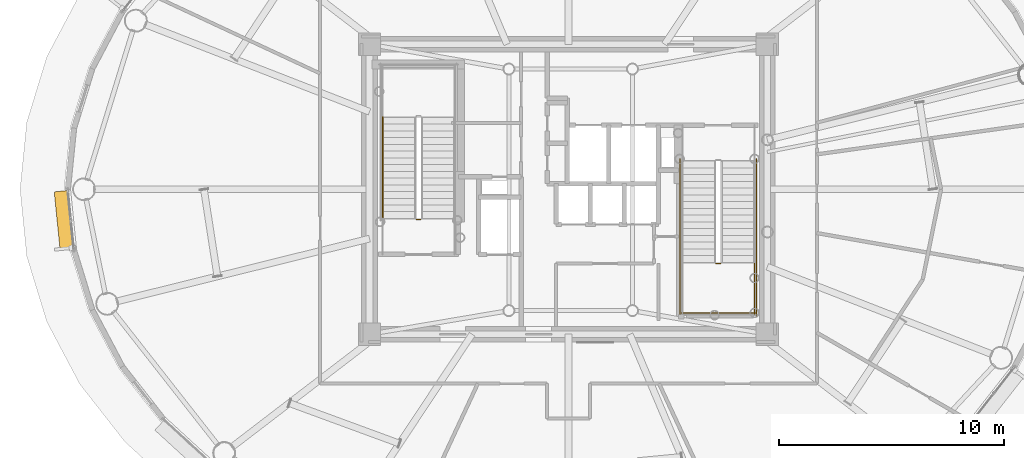
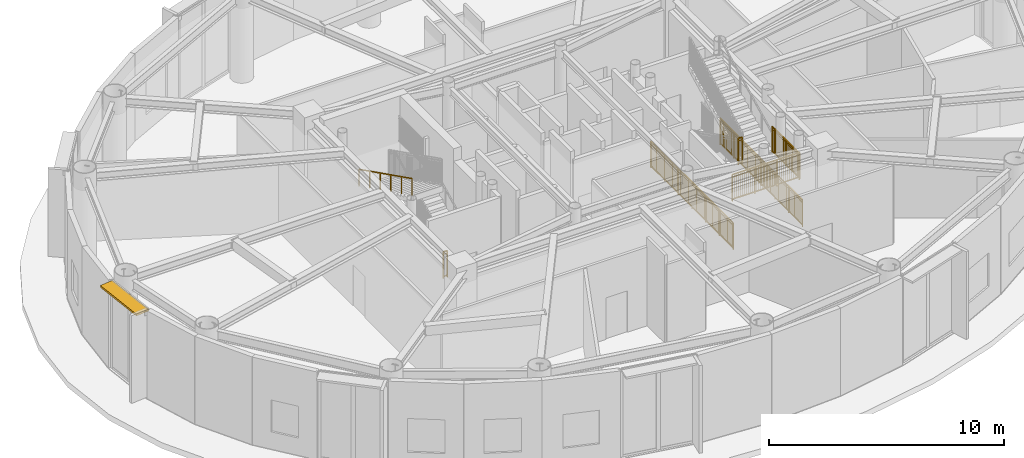
# One storey, part 27 of 32: 7 railings, 1 shading device.
"""IFC4 building model written with IfcOpenShell, lengths in metres."""

from ifc_helpers import new_model, si_unit, direction, frame, origin, origin_2d, place, context, subcontext, project, spatial, rectangle, extrude, source, transform, mapped, material, layer, layer_set, type_object, element, save


model = new_model("IFC4")

# Units and contexts
model_context = context("Model", 3, precision=1e-05, world=origin(), true_north=direction((0.0, 1.0)))
body_context = subcontext(model_context, "Body", "Model", "MODEL_VIEW")
ifc_project = project(units=[si_unit("LENGTHUNIT", "METRE"), si_unit("AREAUNIT", "SQUARE_METRE"), si_unit("VOLUMEUNIT", "CUBIC_METRE"), si_unit("PLANEANGLEUNIT", "RADIAN"), si_unit("MASSUNIT", "GRAM", prefix="KILO")], contexts=[model_context])

# Site, building, storey
site_placement = place(None, origin())
site = spatial("IfcSite", under=ifc_project, at=site_placement, CompositionType="ELEMENT")
building_placement = place(site_placement, origin())
building = spatial("IfcBuilding", under=site, at=building_placement, Name="Linh Dai School and Residence Tower", CompositionType="ELEMENT")
storey_placement = place(building_placement, frame((0.0, 0.0, 268.199951171875)))
storey = spatial("IfcBuildingStorey", under=building, at=storey_placement, Name="L66", CompositionType="ELEMENT", Elevation=268.199951171875)

# Shading device
ifc_material_1 = material(Name="Terracotta Ceramic Sunshade", Category="masonry")
ifc_layer = layer(ifc_material_1, 0.10009765625)
ifc_layer_set = layer_set([ifc_layer], Name="Terracotta Ceramic Sunshade")
shading_device_type = type_object("IfcShadingDeviceType", Name="SHD-TC-650", PredefinedType="USERDEFINED", material=ifc_layer_set)
shared_shape_1 = source(origin(), body_context, "Body", "SweptSolid", [
    extrude(rectangle(XDim=2.62353515625, YDim=0.64990234375, at=origin_2d()), origin(), (0.0, 0.0, 1.0), 0.10009765625),
])
shading_device_placement = place(storey_placement, frame((13.578125, 25.612060546875, 4.429931640625), z_axis=(0.0, 0.0, 1.0), x_axis=(-0.100008034283, 0.994986629598, 0.0)))
element("IfcShadingDevice", 1, at=shading_device_placement, inside=storey, type_object=shading_device_type, Name="L66 Terracotta Horizontal Sunshade Band 21", ObjectType="SUNSHADE", PredefinedType="USERDEFINED", context=body_context, shape_type="MappedRepresentation", body=[
    mapped(shared_shape_1, transform((0.0, 0.0, 0.0), x_axis=(1.0, 0.0, 0.0), y_axis=(0.0, 1.0, 0.0), z_axis=(0.0, 0.0, 1.0), scale=1.0)),
])

# Railings
ifc_material_2 = material(Name="Structural Steel S355JR", Category="steel")
railing_type_1 = type_object("IfcRailingType", Name="RL-ST-GUARD-1400", PredefinedType="GUARDRAIL", material=ifc_material_2)
shared_shape_2 = source(origin(), body_context, "Body", "SweptSolid", [
    extrude(rectangle(XDim=0.048095703125, YDim=0.048095703125, at=origin_2d()), frame((0.0, 0.0, 1.3759765625), z_axis=(-1.0, 0.0, 0.0), x_axis=(0.0, -1.0, 0.0)), (0.0, 0.0, 1.0), 0.199951171875),
    extrude(rectangle(XDim=0.048095703125, YDim=0.048095703125, at=origin_2d()), frame((0.0, 0.0, 0.10009765625), z_axis=(-1.0, 0.0, 0.0), x_axis=(0.0, -1.0, 0.0)), (0.0, 0.0, 1.0), 0.199951171875),
    extrude(rectangle(XDim=0.030029296875, YDim=0.030029296875, at=origin_2d()), frame((0.0, 0.0, 1.239990234375), z_axis=(-1.0, 0.0, 0.0), x_axis=(0.0, -1.0, 0.0)), (0.0, 0.0, 1.0), 0.199951171875),
    extrude(rectangle(XDim=0.0419921875, YDim=0.0419921875, at=origin_2d()), origin(), (0.0, 0.0, 1.0), 1.3759765625),
    extrude(rectangle(XDim=0.0419921875, YDim=0.0419921875, at=origin_2d()), frame((-0.199951171875, 0.0, 0.0)), (0.0, 0.0, 1.0), 1.3759765625),
])
railing_1_placement = place(storey_placement, frame((29.429931640625, 25.64990234375, 0.0)))
element("IfcRailing", 2, at=railing_1_placement, inside=storey, type_object=railing_type_1, Name="L66 ST1 stair guard 7", PredefinedType="GUARDRAIL", context=body_context, shape_type="MappedRepresentation", body=[
    mapped(shared_shape_2, transform((0.0, 0.0, 0.0), x_axis=(1.0, 0.0, 0.0), y_axis=(0.0, 1.0, 0.0), z_axis=(0.0, 0.0, 1.0), scale=1.0)),
])
ifc_material_3 = material(Name="Brushed Stainless Steel Handrail", Category="steel")
railing_type_2 = type_object("IfcRailingType", Name="RL-ST-HANDRAIL-900", PredefinedType="HANDRAIL", material=ifc_material_3)
shared_shape_3 = source(origin(), body_context, "Body", "SweptSolid", [
    extrude(rectangle(XDim=0.048095703125, YDim=0.048095703125, at=origin_2d()), frame((0.0, 0.0, 0.8759765625), z_axis=(0.0, -0.894427191, 0.4472135955), x_axis=(1.0, 0.0, 0.0)), (0.0, 0.0, 1.0), 5.03125),
    extrude(rectangle(XDim=0.0419921875, YDim=0.0419921875, at=origin_2d()), origin(), (0.0, 0.0, 1.0), 0.8759765625),
    extrude(rectangle(XDim=0.0419921875, YDim=0.0419921875, at=origin_2d()), frame((0.0, -0.89990234375, 0.449951171875)), (0.0, 0.0, 1.0), 0.8759765625),
    extrude(rectangle(XDim=0.0419921875, YDim=0.0419921875, at=origin_2d()), frame((0.0, -1.800048828125, 0.89990234375)), (0.0, 0.0, 1.0), 0.8759765625),
    extrude(rectangle(XDim=0.0419921875, YDim=0.0419921875, at=origin_2d()), frame((0.0, -2.699951171875, 1.35009765625)), (0.0, 0.0, 1.0), 0.8759765625),
    extrude(rectangle(XDim=0.0419921875, YDim=0.0419921875, at=origin_2d()), frame((0.0, -3.60009765625, 1.800048828125)), (0.0, 0.0, 1.0), 0.8759765625),
    extrude(rectangle(XDim=0.0419921875, YDim=0.0419921875, at=origin_2d()), frame((0.0, -4.5, 2.25)), (0.0, 0.0, 1.0), 0.8759765625),
])
railing_2_placement = place(storey_placement, frame((27.72998046875, 30.199951171875, 2.550048828125)))
element("IfcRailing", 3, at=railing_2_placement, inside=storey, type_object=railing_type_2, Name="L66 ST1 stair handrail 2", PredefinedType="HANDRAIL", context=body_context, shape_type="MappedRepresentation", body=[
    mapped(shared_shape_3, transform((0.0, 0.0, 0.0), x_axis=(1.0, 0.0, 0.0), y_axis=(0.0, 1.0, 0.0), z_axis=(0.0, 0.0, 1.0), scale=1.0)),
])
shared_shape_4 = source(origin(), body_context, "Body", "SweptSolid", [
    extrude(rectangle(XDim=0.048095703125, YDim=0.048095703125, at=origin_2d()), frame((0.0, 0.0, 1.3759765625), z_axis=(1.0, 0.0, 0.0), x_axis=(0.0, 1.0, 0.0)), (0.0, 0.0, 1.0), 0.199951171875),
    extrude(rectangle(XDim=0.048095703125, YDim=0.048095703125, at=origin_2d()), frame((0.0, 0.0, 0.10009765625), z_axis=(1.0, 0.0, 0.0), x_axis=(0.0, 1.0, 0.0)), (0.0, 0.0, 1.0), 0.199951171875),
    extrude(rectangle(XDim=0.030029296875, YDim=0.030029296875, at=origin_2d()), frame((0.0, 0.0, 1.239990234375), z_axis=(1.0, 0.0, 0.0), x_axis=(0.0, 1.0, 0.0)), (0.0, 0.0, 1.0), 0.199951171875),
    extrude(rectangle(XDim=0.0419921875, YDim=0.0419921875, at=origin_2d()), origin(), (0.0, 0.0, 1.0), 1.3759765625),
    extrude(rectangle(XDim=0.0419921875, YDim=0.0419921875, at=origin_2d()), frame((0.199951171875, 0.0, 0.0)), (0.0, 0.0, 1.0), 1.3759765625),
])
railing_3_placement = place(storey_placement, frame((42.570068359375, 23.699951171875, 2.400146484375)))
element("IfcRailing", 4, at=railing_3_placement, inside=storey, type_object=railing_type_1, Name="L66 ST2 stair guard 2", PredefinedType="GUARDRAIL", context=body_context, shape_type="MappedRepresentation", body=[
    mapped(shared_shape_4, transform((0.0, 0.0, 0.0), x_axis=(1.0, 0.0, 0.0), y_axis=(0.0, 1.0, 0.0), z_axis=(0.0, 0.0, 1.0), scale=1.0)),
])
shared_shape_5 = source(origin(), body_context, "Body", "SweptSolid", [
    extrude(rectangle(XDim=0.048095703125, YDim=0.048095703125, at=origin_2d()), frame((0.0, 0.0, 1.3759765625), z_axis=(1.0, 0.0, 0.0), x_axis=(0.0, 1.0, 0.0)), (0.0, 0.0, 1.0), 3.300048828125),
    extrude(rectangle(XDim=0.048095703125, YDim=0.048095703125, at=origin_2d()), frame((0.0, 0.0, 0.10009765625), z_axis=(1.0, 0.0, 0.0), x_axis=(0.0, 1.0, 0.0)), (0.0, 0.0, 1.0), 3.300048828125),
    extrude(rectangle(XDim=0.030029296875, YDim=0.030029296875, at=origin_2d()), frame((0.0, 0.0, 1.239990234375), z_axis=(1.0, 0.0, 0.0), x_axis=(0.0, 1.0, 0.0)), (0.0, 0.0, 1.0), 3.300048828125),
    extrude(rectangle(XDim=0.02001953125, YDim=0.02001953125, at=origin_2d()), frame((0.09716796875, 0.0, 0.10009765625)), (0.0, 0.0, 1.0), 1.251708984375),
    extrude(rectangle(XDim=0.02001953125, YDim=0.02001953125, at=origin_2d()), frame((0.194091796875, 0.0, 0.10009765625)), (0.0, 0.0, 1.0), 1.251708984375),
    extrude(rectangle(XDim=0.02001953125, YDim=0.02001953125, at=origin_2d()), frame((0.291259765625, 0.0, 0.10009765625)), (0.0, 0.0, 1.0), 1.251708984375),
    extrude(rectangle(XDim=0.02001953125, YDim=0.02001953125, at=origin_2d()), frame((0.38818359375, 0.0, 0.10009765625)), (0.0, 0.0, 1.0), 1.251708984375),
    extrude(rectangle(XDim=0.02001953125, YDim=0.02001953125, at=origin_2d()), frame((0.4853515625, 0.0, 0.10009765625)), (0.0, 0.0, 1.0), 1.251708984375),
    extrude(rectangle(XDim=0.02001953125, YDim=0.02001953125, at=origin_2d()), frame((0.582275390625, 0.0, 0.10009765625)), (0.0, 0.0, 1.0), 1.251708984375),
    extrude(rectangle(XDim=0.02001953125, YDim=0.02001953125, at=origin_2d()), frame((0.679443359375, 0.0, 0.10009765625)), (0.0, 0.0, 1.0), 1.251708984375),
    extrude(rectangle(XDim=0.02001953125, YDim=0.02001953125, at=origin_2d()), frame((0.7763671875, 0.0, 0.10009765625)), (0.0, 0.0, 1.0), 1.251708984375),
    extrude(rectangle(XDim=0.02001953125, YDim=0.02001953125, at=origin_2d()), frame((0.87353515625, 0.0, 0.10009765625)), (0.0, 0.0, 1.0), 1.251708984375),
    extrude(rectangle(XDim=0.02001953125, YDim=0.02001953125, at=origin_2d()), frame((0.970703125, 0.0, 0.10009765625)), (0.0, 0.0, 1.0), 1.251708984375),
    extrude(rectangle(XDim=0.02001953125, YDim=0.02001953125, at=origin_2d()), frame((1.164794921875, 0.0, 0.10009765625)), (0.0, 0.0, 1.0), 1.251708984375),
    extrude(rectangle(XDim=0.02001953125, YDim=0.02001953125, at=origin_2d()), frame((1.26171875, 0.0, 0.10009765625)), (0.0, 0.0, 1.0), 1.251708984375),
    extrude(rectangle(XDim=0.02001953125, YDim=0.02001953125, at=origin_2d()), frame((1.35888671875, 0.0, 0.10009765625)), (0.0, 0.0, 1.0), 1.251708984375),
    extrude(rectangle(XDim=0.02001953125, YDim=0.02001953125, at=origin_2d()), frame((1.455810546875, 0.0, 0.10009765625)), (0.0, 0.0, 1.0), 1.251708984375),
    extrude(rectangle(XDim=0.02001953125, YDim=0.02001953125, at=origin_2d()), frame((1.552978515625, 0.0, 0.10009765625)), (0.0, 0.0, 1.0), 1.251708984375),
    extrude(rectangle(XDim=0.02001953125, YDim=0.02001953125, at=origin_2d()), frame((1.64990234375, 0.0, 0.10009765625)), (0.0, 0.0, 1.0), 1.251708984375),
    extrude(rectangle(XDim=0.02001953125, YDim=0.02001953125, at=origin_2d()), frame((1.7470703125, 0.0, 0.10009765625)), (0.0, 0.0, 1.0), 1.251708984375),
    extrude(rectangle(XDim=0.02001953125, YDim=0.02001953125, at=origin_2d()), frame((1.84423828125, 0.0, 0.10009765625)), (0.0, 0.0, 1.0), 1.251708984375),
    extrude(rectangle(XDim=0.02001953125, YDim=0.02001953125, at=origin_2d()), frame((1.941162109375, 0.0, 0.10009765625)), (0.0, 0.0, 1.0), 1.251708984375),
    extrude(rectangle(XDim=0.02001953125, YDim=0.02001953125, at=origin_2d()), frame((2.038330078125, 0.0, 0.10009765625)), (0.0, 0.0, 1.0), 1.251708984375),
    extrude(rectangle(XDim=0.02001953125, YDim=0.02001953125, at=origin_2d()), frame((2.13525390625, 0.0, 0.10009765625)), (0.0, 0.0, 1.0), 1.251708984375),
    extrude(rectangle(XDim=0.02001953125, YDim=0.02001953125, at=origin_2d()), frame((2.329345703125, 0.0, 0.10009765625)), (0.0, 0.0, 1.0), 1.251708984375),
    extrude(rectangle(XDim=0.02001953125, YDim=0.02001953125, at=origin_2d()), frame((2.426513671875, 0.0, 0.10009765625)), (0.0, 0.0, 1.0), 1.251708984375),
    extrude(rectangle(XDim=0.02001953125, YDim=0.02001953125, at=origin_2d()), frame((2.523681640625, 0.0, 0.10009765625)), (0.0, 0.0, 1.0), 1.251708984375),
    extrude(rectangle(XDim=0.02001953125, YDim=0.02001953125, at=origin_2d()), frame((2.62060546875, 0.0, 0.10009765625)), (0.0, 0.0, 1.0), 1.251708984375),
    extrude(rectangle(XDim=0.02001953125, YDim=0.02001953125, at=origin_2d()), frame((2.7177734375, 0.0, 0.10009765625)), (0.0, 0.0, 1.0), 1.251708984375),
    extrude(rectangle(XDim=0.02001953125, YDim=0.02001953125, at=origin_2d()), frame((2.814697265625, 0.0, 0.10009765625)), (0.0, 0.0, 1.0), 1.251708984375),
    extrude(rectangle(XDim=0.02001953125, YDim=0.02001953125, at=origin_2d()), frame((2.911865234375, 0.0, 0.10009765625)), (0.0, 0.0, 1.0), 1.251708984375),
    extrude(rectangle(XDim=0.02001953125, YDim=0.02001953125, at=origin_2d()), frame((3.0087890625, 0.0, 0.10009765625)), (0.0, 0.0, 1.0), 1.251708984375),
    extrude(rectangle(XDim=0.02001953125, YDim=0.02001953125, at=origin_2d()), frame((3.10595703125, 0.0, 0.10009765625)), (0.0, 0.0, 1.0), 1.251708984375),
    extrude(rectangle(XDim=0.02001953125, YDim=0.02001953125, at=origin_2d()), frame((3.202880859375, 0.0, 0.10009765625)), (0.0, 0.0, 1.0), 1.251708984375),
    extrude(rectangle(XDim=0.0419921875, YDim=0.0419921875, at=origin_2d()), origin(), (0.0, 0.0, 1.0), 1.3759765625),
    extrude(rectangle(XDim=0.0419921875, YDim=0.0419921875, at=origin_2d()), frame((1.10009765625, 0.0, 0.0)), (0.0, 0.0, 1.0), 1.3759765625),
    extrude(rectangle(XDim=0.0419921875, YDim=0.0419921875, at=origin_2d()), frame((2.199951171875, 0.0, 0.0)), (0.0, 0.0, 1.0), 1.3759765625),
    extrude(rectangle(XDim=0.0419921875, YDim=0.0419921875, at=origin_2d()), frame((3.300048828125, 0.0, 0.0)), (0.0, 0.0, 1.0), 1.3759765625),
])
railing_4_placement = place(storey_placement, frame((41.02001953125, 21.5, 2.400146484375)))
element("IfcRailing", 5, at=railing_4_placement, inside=storey, type_object=railing_type_1, Name="L66 ST2 stair guard 5", PredefinedType="GUARDRAIL", context=body_context, shape_type="MappedRepresentation", body=[
    mapped(shared_shape_5, transform((0.0, 0.0, 0.0), x_axis=(1.0, 0.0, 0.0), y_axis=(0.0, 1.0, 0.0), z_axis=(0.0, 0.0, 1.0), scale=1.0)),
])
shared_shape_6 = source(origin(), body_context, "Body", "SweptSolid", [
    extrude(rectangle(XDim=0.048095703125, YDim=0.048095703125, at=origin_2d()), frame((0.0, 0.0, 1.3759765625), z_axis=(0.0, -1.0, 0.0), x_axis=(1.0, 0.0, 0.0)), (0.0, 0.0, 1.0), 7.0),
    extrude(rectangle(XDim=0.048095703125, YDim=0.048095703125, at=origin_2d()), frame((0.0, 0.0, 0.10009765625), z_axis=(0.0, -1.0, 0.0), x_axis=(1.0, 0.0, 0.0)), (0.0, 0.0, 1.0), 7.0),
    extrude(rectangle(XDim=0.030029296875, YDim=0.030029296875, at=origin_2d()), frame((0.0, 0.0, 1.239990234375), z_axis=(0.0, -1.0, 0.0), x_axis=(1.0, 0.0, 0.0)), (0.0, 0.0, 1.0), 7.0),
    extrude(rectangle(XDim=0.02001953125, YDim=0.02001953125, at=origin_2d()), frame((0.0, -0.09716796875, 0.10009765625)), (0.0, 0.0, 1.0), 1.251708984375),
    extrude(rectangle(XDim=0.02001953125, YDim=0.02001953125, at=origin_2d()), frame((0.0, -0.1943359375, 0.10009765625)), (0.0, 0.0, 1.0), 1.251708984375),
    extrude(rectangle(XDim=0.02001953125, YDim=0.02001953125, at=origin_2d()), frame((0.0, -0.291748046875, 0.10009765625)), (0.0, 0.0, 1.0), 1.251708984375),
    extrude(rectangle(XDim=0.02001953125, YDim=0.02001953125, at=origin_2d()), frame((0.0, -0.388916015625, 0.10009765625)), (0.0, 0.0, 1.0), 1.251708984375),
    extrude(rectangle(XDim=0.02001953125, YDim=0.02001953125, at=origin_2d()), frame((0.0, -0.486083984375, 0.10009765625)), (0.0, 0.0, 1.0), 1.251708984375),
    extrude(rectangle(XDim=0.02001953125, YDim=0.02001953125, at=origin_2d()), frame((0.0, -0.583251953125, 0.10009765625)), (0.0, 0.0, 1.0), 1.251708984375),
    extrude(rectangle(XDim=0.02001953125, YDim=0.02001953125, at=origin_2d()), frame((0.0, -0.6806640625, 0.10009765625)), (0.0, 0.0, 1.0), 1.251708984375),
    extrude(rectangle(XDim=0.02001953125, YDim=0.02001953125, at=origin_2d()), frame((0.0, -0.77783203125, 0.10009765625)), (0.0, 0.0, 1.0), 1.251708984375),
    extrude(rectangle(XDim=0.02001953125, YDim=0.02001953125, at=origin_2d()), frame((0.0, -0.875, 0.10009765625)), (0.0, 0.0, 1.0), 1.251708984375),
    extrude(rectangle(XDim=0.02001953125, YDim=0.02001953125, at=origin_2d()), frame((0.0, -0.97216796875, 0.10009765625)), (0.0, 0.0, 1.0), 1.251708984375),
    extrude(rectangle(XDim=0.02001953125, YDim=0.02001953125, at=origin_2d()), frame((0.0, -1.0693359375, 0.10009765625)), (0.0, 0.0, 1.0), 1.251708984375),
    extrude(rectangle(XDim=0.02001953125, YDim=0.02001953125, at=origin_2d()), frame((0.0, -1.263916015625, 0.10009765625)), (0.0, 0.0, 1.0), 1.251708984375),
    extrude(rectangle(XDim=0.02001953125, YDim=0.02001953125, at=origin_2d()), frame((0.0, -1.361083984375, 0.10009765625)), (0.0, 0.0, 1.0), 1.251708984375),
    extrude(rectangle(XDim=0.02001953125, YDim=0.02001953125, at=origin_2d()), frame((0.0, -1.458251953125, 0.10009765625)), (0.0, 0.0, 1.0), 1.251708984375),
    extrude(rectangle(XDim=0.02001953125, YDim=0.02001953125, at=origin_2d()), frame((0.0, -1.5556640625, 0.10009765625)), (0.0, 0.0, 1.0), 1.251708984375),
    extrude(rectangle(XDim=0.02001953125, YDim=0.02001953125, at=origin_2d()), frame((0.0, -1.65283203125, 0.10009765625)), (0.0, 0.0, 1.0), 1.251708984375),
    extrude(rectangle(XDim=0.02001953125, YDim=0.02001953125, at=origin_2d()), frame((0.0, -1.75, 0.10009765625)), (0.0, 0.0, 1.0), 1.251708984375),
    extrude(rectangle(XDim=0.02001953125, YDim=0.02001953125, at=origin_2d()), frame((0.0, -1.84716796875, 0.10009765625)), (0.0, 0.0, 1.0), 1.251708984375),
    extrude(rectangle(XDim=0.02001953125, YDim=0.02001953125, at=origin_2d()), frame((0.0, -1.9443359375, 0.10009765625)), (0.0, 0.0, 1.0), 1.251708984375),
    extrude(rectangle(XDim=0.02001953125, YDim=0.02001953125, at=origin_2d()), frame((0.0, -2.041748046875, 0.10009765625)), (0.0, 0.0, 1.0), 1.251708984375),
    extrude(rectangle(XDim=0.02001953125, YDim=0.02001953125, at=origin_2d()), frame((0.0, -2.138916015625, 0.10009765625)), (0.0, 0.0, 1.0), 1.251708984375),
    extrude(rectangle(XDim=0.02001953125, YDim=0.02001953125, at=origin_2d()), frame((0.0, -2.236083984375, 0.10009765625)), (0.0, 0.0, 1.0), 1.251708984375),
    extrude(rectangle(XDim=0.02001953125, YDim=0.02001953125, at=origin_2d()), frame((0.0, -2.4306640625, 0.10009765625)), (0.0, 0.0, 1.0), 1.251708984375),
    extrude(rectangle(XDim=0.02001953125, YDim=0.02001953125, at=origin_2d()), frame((0.0, -2.52783203125, 0.10009765625)), (0.0, 0.0, 1.0), 1.251708984375),
    extrude(rectangle(XDim=0.02001953125, YDim=0.02001953125, at=origin_2d()), frame((0.0, -2.625, 0.10009765625)), (0.0, 0.0, 1.0), 1.251708984375),
    extrude(rectangle(XDim=0.02001953125, YDim=0.02001953125, at=origin_2d()), frame((0.0, -2.72216796875, 0.10009765625)), (0.0, 0.0, 1.0), 1.251708984375),
    extrude(rectangle(XDim=0.02001953125, YDim=0.02001953125, at=origin_2d()), frame((0.0, -2.8193359375, 0.10009765625)), (0.0, 0.0, 1.0), 1.251708984375),
    extrude(rectangle(XDim=0.02001953125, YDim=0.02001953125, at=origin_2d()), frame((0.0, -2.916748046875, 0.10009765625)), (0.0, 0.0, 1.0), 1.251708984375),
    extrude(rectangle(XDim=0.02001953125, YDim=0.02001953125, at=origin_2d()), frame((0.0, -3.013916015625, 0.10009765625)), (0.0, 0.0, 1.0), 1.251708984375),
    extrude(rectangle(XDim=0.02001953125, YDim=0.02001953125, at=origin_2d()), frame((0.0, -3.111083984375, 0.10009765625)), (0.0, 0.0, 1.0), 1.251708984375),
    extrude(rectangle(XDim=0.02001953125, YDim=0.02001953125, at=origin_2d()), frame((0.0, -3.208251953125, 0.10009765625)), (0.0, 0.0, 1.0), 1.251708984375),
    extrude(rectangle(XDim=0.02001953125, YDim=0.02001953125, at=origin_2d()), frame((0.0, -3.3056640625, 0.10009765625)), (0.0, 0.0, 1.0), 1.251708984375),
    extrude(rectangle(XDim=0.02001953125, YDim=0.02001953125, at=origin_2d()), frame((0.0, -3.40283203125, 0.10009765625)), (0.0, 0.0, 1.0), 1.251708984375),
    extrude(rectangle(XDim=0.02001953125, YDim=0.02001953125, at=origin_2d()), frame((0.0, -3.59716796875, 0.10009765625)), (0.0, 0.0, 1.0), 1.251708984375),
    extrude(rectangle(XDim=0.02001953125, YDim=0.02001953125, at=origin_2d()), frame((0.0, -3.6943359375, 0.10009765625)), (0.0, 0.0, 1.0), 1.251708984375),
    extrude(rectangle(XDim=0.02001953125, YDim=0.02001953125, at=origin_2d()), frame((0.0, -3.791748046875, 0.10009765625)), (0.0, 0.0, 1.0), 1.251708984375),
    extrude(rectangle(XDim=0.02001953125, YDim=0.02001953125, at=origin_2d()), frame((0.0, -3.888916015625, 0.10009765625)), (0.0, 0.0, 1.0), 1.251708984375),
    extrude(rectangle(XDim=0.02001953125, YDim=0.02001953125, at=origin_2d()), frame((0.0, -3.986083984375, 0.10009765625)), (0.0, 0.0, 1.0), 1.251708984375),
    extrude(rectangle(XDim=0.02001953125, YDim=0.02001953125, at=origin_2d()), frame((0.0, -4.083251953125, 0.10009765625)), (0.0, 0.0, 1.0), 1.251708984375),
    extrude(rectangle(XDim=0.02001953125, YDim=0.02001953125, at=origin_2d()), frame((0.0, -4.1806640625, 0.10009765625)), (0.0, 0.0, 1.0), 1.251708984375),
    extrude(rectangle(XDim=0.02001953125, YDim=0.02001953125, at=origin_2d()), frame((0.0, -4.27783203125, 0.10009765625)), (0.0, 0.0, 1.0), 1.251708984375),
    extrude(rectangle(XDim=0.02001953125, YDim=0.02001953125, at=origin_2d()), frame((0.0, -4.375, 0.10009765625)), (0.0, 0.0, 1.0), 1.251708984375),
    extrude(rectangle(XDim=0.02001953125, YDim=0.02001953125, at=origin_2d()), frame((0.0, -4.47216796875, 0.10009765625)), (0.0, 0.0, 1.0), 1.251708984375),
    extrude(rectangle(XDim=0.02001953125, YDim=0.02001953125, at=origin_2d()), frame((0.0, -4.5693359375, 0.10009765625)), (0.0, 0.0, 1.0), 1.251708984375),
    extrude(rectangle(XDim=0.02001953125, YDim=0.02001953125, at=origin_2d()), frame((0.0, -4.763916015625, 0.10009765625)), (0.0, 0.0, 1.0), 1.251708984375),
    extrude(rectangle(XDim=0.02001953125, YDim=0.02001953125, at=origin_2d()), frame((0.0, -4.861083984375, 0.10009765625)), (0.0, 0.0, 1.0), 1.251708984375),
    extrude(rectangle(XDim=0.02001953125, YDim=0.02001953125, at=origin_2d()), frame((0.0, -4.958251953125, 0.10009765625)), (0.0, 0.0, 1.0), 1.251708984375),
    extrude(rectangle(XDim=0.02001953125, YDim=0.02001953125, at=origin_2d()), frame((0.0, -5.0556640625, 0.10009765625)), (0.0, 0.0, 1.0), 1.251708984375),
    extrude(rectangle(XDim=0.02001953125, YDim=0.02001953125, at=origin_2d()), frame((0.0, -5.15283203125, 0.10009765625)), (0.0, 0.0, 1.0), 1.251708984375),
    extrude(rectangle(XDim=0.02001953125, YDim=0.02001953125, at=origin_2d()), frame((0.0, -5.25, 0.10009765625)), (0.0, 0.0, 1.0), 1.251708984375),
    extrude(rectangle(XDim=0.02001953125, YDim=0.02001953125, at=origin_2d()), frame((0.0, -5.34716796875, 0.10009765625)), (0.0, 0.0, 1.0), 1.251708984375),
    extrude(rectangle(XDim=0.02001953125, YDim=0.02001953125, at=origin_2d()), frame((0.0, -5.4443359375, 0.10009765625)), (0.0, 0.0, 1.0), 1.251708984375),
    extrude(rectangle(XDim=0.02001953125, YDim=0.02001953125, at=origin_2d()), frame((0.0, -5.541748046875, 0.10009765625)), (0.0, 0.0, 1.0), 1.251708984375),
    extrude(rectangle(XDim=0.02001953125, YDim=0.02001953125, at=origin_2d()), frame((0.0, -5.638916015625, 0.10009765625)), (0.0, 0.0, 1.0), 1.251708984375),
    extrude(rectangle(XDim=0.02001953125, YDim=0.02001953125, at=origin_2d()), frame((0.0, -5.736083984375, 0.10009765625)), (0.0, 0.0, 1.0), 1.251708984375),
    extrude(rectangle(XDim=0.02001953125, YDim=0.02001953125, at=origin_2d()), frame((0.0, -5.9306640625, 0.10009765625)), (0.0, 0.0, 1.0), 1.251708984375),
    extrude(rectangle(XDim=0.02001953125, YDim=0.02001953125, at=origin_2d()), frame((0.0, -6.02783203125, 0.10009765625)), (0.0, 0.0, 1.0), 1.251708984375),
    extrude(rectangle(XDim=0.02001953125, YDim=0.02001953125, at=origin_2d()), frame((0.0, -6.125, 0.10009765625)), (0.0, 0.0, 1.0), 1.251708984375),
    extrude(rectangle(XDim=0.02001953125, YDim=0.02001953125, at=origin_2d()), frame((0.0, -6.22216796875, 0.10009765625)), (0.0, 0.0, 1.0), 1.251708984375),
    extrude(rectangle(XDim=0.02001953125, YDim=0.02001953125, at=origin_2d()), frame((0.0, -6.3193359375, 0.10009765625)), (0.0, 0.0, 1.0), 1.251708984375),
    extrude(rectangle(XDim=0.02001953125, YDim=0.02001953125, at=origin_2d()), frame((0.0, -6.416748046875, 0.10009765625)), (0.0, 0.0, 1.0), 1.251708984375),
    extrude(rectangle(XDim=0.02001953125, YDim=0.02001953125, at=origin_2d()), frame((0.0, -6.513916015625, 0.10009765625)), (0.0, 0.0, 1.0), 1.251708984375),
    extrude(rectangle(XDim=0.02001953125, YDim=0.02001953125, at=origin_2d()), frame((0.0, -6.611083984375, 0.10009765625)), (0.0, 0.0, 1.0), 1.251708984375),
    extrude(rectangle(XDim=0.02001953125, YDim=0.02001953125, at=origin_2d()), frame((0.0, -6.708251953125, 0.10009765625)), (0.0, 0.0, 1.0), 1.251708984375),
    extrude(rectangle(XDim=0.02001953125, YDim=0.02001953125, at=origin_2d()), frame((0.0, -6.8056640625, 0.10009765625)), (0.0, 0.0, 1.0), 1.251708984375),
    extrude(rectangle(XDim=0.02001953125, YDim=0.02001953125, at=origin_2d()), frame((0.0, -6.90283203125, 0.10009765625)), (0.0, 0.0, 1.0), 1.251708984375),
    extrude(rectangle(XDim=0.0419921875, YDim=0.0419921875, at=origin_2d()), origin(), (0.0, 0.0, 1.0), 1.3759765625),
    extrude(rectangle(XDim=0.0419921875, YDim=0.0419921875, at=origin_2d()), frame((0.0, -1.166748046875, 0.0)), (0.0, 0.0, 1.0), 1.3759765625),
    extrude(rectangle(XDim=0.0419921875, YDim=0.0419921875, at=origin_2d()), frame((0.0, -2.333251953125, 0.0)), (0.0, 0.0, 1.0), 1.3759765625),
    extrude(rectangle(XDim=0.0419921875, YDim=0.0419921875, at=origin_2d()), frame((0.0, -3.5, 0.0)), (0.0, 0.0, 1.0), 1.3759765625),
    extrude(rectangle(XDim=0.0419921875, YDim=0.0419921875, at=origin_2d()), frame((0.0, -4.666748046875, 0.0)), (0.0, 0.0, 1.0), 1.3759765625),
    extrude(rectangle(XDim=0.0419921875, YDim=0.0419921875, at=origin_2d()), frame((0.0, -5.833251953125, 0.0)), (0.0, 0.0, 1.0), 1.3759765625),
    extrude(rectangle(XDim=0.0419921875, YDim=0.0419921875, at=origin_2d()), frame((0.0, -7.0, 0.0)), (0.0, 0.0, 1.0), 1.3759765625),
])
for number, where, name in (
    (6, (40.969970703125, 28.35009765625, 0.0), "L66 ST2 stair guard 10"),
    (7, (44.3701171875, 28.35009765625, 0.0), "L66 ST2 stair guard 11"),
):
    element("IfcRailing", number, at=place(storey_placement, frame(where)), inside=storey, type_object=railing_type_1, Name=name, PredefinedType="GUARDRAIL", context=body_context, shape_type="MappedRepresentation", body=[
        mapped(shared_shape_6, transform((0.0, 0.0, 0.0), x_axis=(1.0, 0.0, 0.0), y_axis=(0.0, 1.0, 0.0), z_axis=(0.0, 0.0, 1.0), scale=1.0)),
    ])
shared_shape_7 = source(origin(), body_context, "Body", "SweptSolid", [
    extrude(rectangle(XDim=0.048095703125, YDim=0.048095703125, at=origin_2d()), frame((0.0, 0.0, 1.3759765625), z_axis=(0.0, -1.0, 0.0), x_axis=(1.0, 0.0, 0.0)), (0.0, 0.0, 1.0), 2.300048828125),
    extrude(rectangle(XDim=0.048095703125, YDim=0.048095703125, at=origin_2d()), frame((0.0, 0.0, 0.10009765625), z_axis=(0.0, -1.0, 0.0), x_axis=(1.0, 0.0, 0.0)), (0.0, 0.0, 1.0), 2.300048828125),
    extrude(rectangle(XDim=0.030029296875, YDim=0.030029296875, at=origin_2d()), frame((0.0, 0.0, 1.239990234375), z_axis=(0.0, -1.0, 0.0), x_axis=(1.0, 0.0, 0.0)), (0.0, 0.0, 1.0), 2.300048828125),
    extrude(rectangle(XDim=0.02001953125, YDim=0.02001953125, at=origin_2d()), frame((0.0, -0.095947265625, 0.10009765625)), (0.0, 0.0, 1.0), 1.251708984375),
    extrude(rectangle(XDim=0.02001953125, YDim=0.02001953125, at=origin_2d()), frame((0.0, -0.191650390625, 0.10009765625)), (0.0, 0.0, 1.0), 1.251708984375),
    extrude(rectangle(XDim=0.02001953125, YDim=0.02001953125, at=origin_2d()), frame((0.0, -0.28759765625, 0.10009765625)), (0.0, 0.0, 1.0), 1.251708984375),
    extrude(rectangle(XDim=0.02001953125, YDim=0.02001953125, at=origin_2d()), frame((0.0, -0.38330078125, 0.10009765625)), (0.0, 0.0, 1.0), 1.251708984375),
    extrude(rectangle(XDim=0.02001953125, YDim=0.02001953125, at=origin_2d()), frame((0.0, -0.479248046875, 0.10009765625)), (0.0, 0.0, 1.0), 1.251708984375),
    extrude(rectangle(XDim=0.02001953125, YDim=0.02001953125, at=origin_2d()), frame((0.0, -0.574951171875, 0.10009765625)), (0.0, 0.0, 1.0), 1.251708984375),
    extrude(rectangle(XDim=0.02001953125, YDim=0.02001953125, at=origin_2d()), frame((0.0, -0.6708984375, 0.10009765625)), (0.0, 0.0, 1.0), 1.251708984375),
    extrude(rectangle(XDim=0.02001953125, YDim=0.02001953125, at=origin_2d()), frame((0.0, -0.7666015625, 0.10009765625)), (0.0, 0.0, 1.0), 1.251708984375),
    extrude(rectangle(XDim=0.02001953125, YDim=0.02001953125, at=origin_2d()), frame((0.0, -0.862548828125, 0.10009765625)), (0.0, 0.0, 1.0), 1.251708984375),
    extrude(rectangle(XDim=0.02001953125, YDim=0.02001953125, at=origin_2d()), frame((0.0, -0.958251953125, 0.10009765625)), (0.0, 0.0, 1.0), 1.251708984375),
    extrude(rectangle(XDim=0.02001953125, YDim=0.02001953125, at=origin_2d()), frame((0.0, -1.05419921875, 0.10009765625)), (0.0, 0.0, 1.0), 1.251708984375),
    extrude(rectangle(XDim=0.02001953125, YDim=0.02001953125, at=origin_2d()), frame((0.0, -1.245849609375, 0.10009765625)), (0.0, 0.0, 1.0), 1.251708984375),
    extrude(rectangle(XDim=0.02001953125, YDim=0.02001953125, at=origin_2d()), frame((0.0, -1.341796875, 0.10009765625)), (0.0, 0.0, 1.0), 1.251708984375),
    extrude(rectangle(XDim=0.02001953125, YDim=0.02001953125, at=origin_2d()), frame((0.0, -1.4375, 0.10009765625)), (0.0, 0.0, 1.0), 1.251708984375),
    extrude(rectangle(XDim=0.02001953125, YDim=0.02001953125, at=origin_2d()), frame((0.0, -1.533447265625, 0.10009765625)), (0.0, 0.0, 1.0), 1.251708984375),
    extrude(rectangle(XDim=0.02001953125, YDim=0.02001953125, at=origin_2d()), frame((0.0, -1.629150390625, 0.10009765625)), (0.0, 0.0, 1.0), 1.251708984375),
    extrude(rectangle(XDim=0.02001953125, YDim=0.02001953125, at=origin_2d()), frame((0.0, -1.72509765625, 0.10009765625)), (0.0, 0.0, 1.0), 1.251708984375),
    extrude(rectangle(XDim=0.02001953125, YDim=0.02001953125, at=origin_2d()), frame((0.0, -1.82080078125, 0.10009765625)), (0.0, 0.0, 1.0), 1.251708984375),
    extrude(rectangle(XDim=0.02001953125, YDim=0.02001953125, at=origin_2d()), frame((0.0, -1.916748046875, 0.10009765625)), (0.0, 0.0, 1.0), 1.251708984375),
    extrude(rectangle(XDim=0.02001953125, YDim=0.02001953125, at=origin_2d()), frame((0.0, -2.012451171875, 0.10009765625)), (0.0, 0.0, 1.0), 1.251708984375),
    extrude(rectangle(XDim=0.02001953125, YDim=0.02001953125, at=origin_2d()), frame((0.0, -2.1083984375, 0.10009765625)), (0.0, 0.0, 1.0), 1.251708984375),
    extrude(rectangle(XDim=0.02001953125, YDim=0.02001953125, at=origin_2d()), frame((0.0, -2.2041015625, 0.10009765625)), (0.0, 0.0, 1.0), 1.251708984375),
    extrude(rectangle(XDim=0.0419921875, YDim=0.0419921875, at=origin_2d()), origin(), (0.0, 0.0, 1.0), 1.3759765625),
    extrude(rectangle(XDim=0.0419921875, YDim=0.0419921875, at=origin_2d()), frame((0.0, -1.14990234375, 0.0)), (0.0, 0.0, 1.0), 1.3759765625),
    extrude(rectangle(XDim=0.0419921875, YDim=0.0419921875, at=origin_2d()), frame((0.0, -2.300048828125, 0.0)), (0.0, 0.0, 1.0), 1.3759765625),
])
railing_5_placement = place(storey_placement, frame((44.27001953125, 23.75, 2.400146484375)))
element("IfcRailing", 8, at=railing_5_placement, inside=storey, type_object=railing_type_1, Name="L66 ST2 stair guard 4", PredefinedType="GUARDRAIL", context=body_context, shape_type="MappedRepresentation", body=[
    mapped(shared_shape_7, transform((0.0, 0.0, 0.0), x_axis=(1.0, 0.0, 0.0), y_axis=(0.0, 1.0, 0.0), z_axis=(0.0, 0.0, 1.0), scale=1.0)),
])

save(model, "model.ifc")
